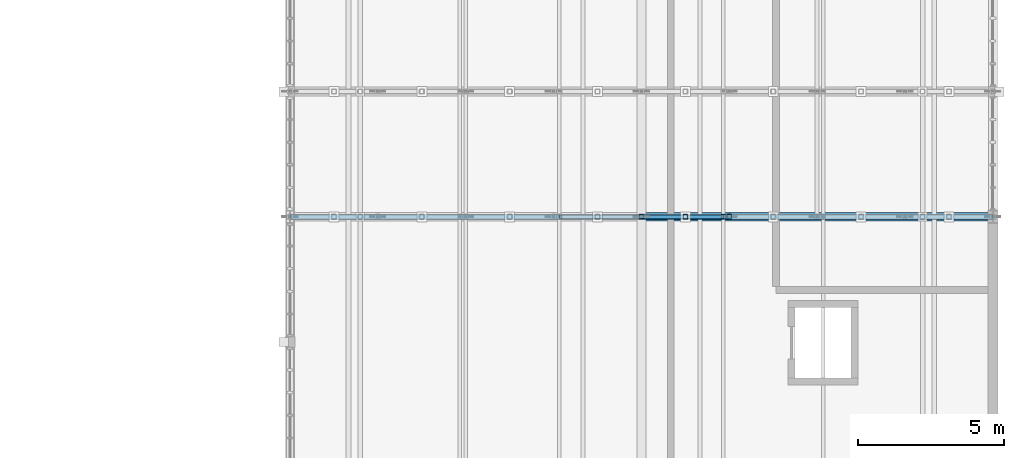
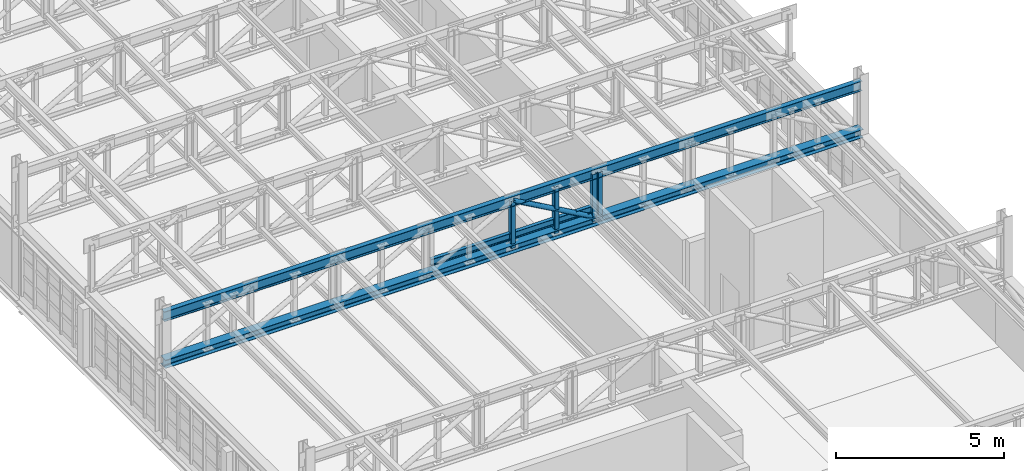
# One storey, part 35 of 128: 8 members.
"""IFC4 building model written with IfcOpenShell, lengths in metres."""

from ifc_helpers import new_model, si_unit, direction, frame, origin, origin_2d, place, context, subcontext, project, spatial, hollow_rectangle, hollow_circle, i_section, extrude, material, material_profile, profile_set, type_object, element, save


model = new_model("IFC4")

# Units and contexts
model_context = context("Model", 3, precision=1e-05, world=origin(), true_north=direction((0.0, 1.0)))
body_context = subcontext(model_context, "Body", "Model", "MODEL_VIEW")
ifc_project = project(units=[si_unit("LENGTHUNIT", "METRE"), si_unit("AREAUNIT", "SQUARE_METRE"), si_unit("VOLUMEUNIT", "CUBIC_METRE"), si_unit("PLANEANGLEUNIT", "RADIAN"), si_unit("MASSUNIT", "GRAM", prefix="KILO")], contexts=[model_context])

# Site, building, storey
site_placement = place(None, origin())
site = spatial("IfcSite", under=ifc_project, at=site_placement, CompositionType="ELEMENT")
building_placement = place(site_placement, origin())
building = spatial("IfcBuilding", under=site, at=building_placement, Name="Serraforn Aerial Cableway Station", CompositionType="ELEMENT")
storey_placement = place(building_placement, frame((0.0, 0.0, 9.0)))
storey = spatial("IfcBuildingStorey", under=building, at=storey_placement, Name="L02", CompositionType="ELEMENT", Elevation=9.0)

# Members
ifc_material = material(Name="Steel S355J2", Category="steel")
ifc_material_profile_1 = material_profile(ifc_material, i_section(OverallWidth=0.300048828125, OverallDepth=0.300048828125, WebThickness=0.008544921875, FlangeThickness=0.013916015625, FilletRadius=0.027099609375, at=origin_2d()), Name="HEA 300")
ifc_profile_set_1 = profile_set([ifc_material_profile_1], Name="Steel S355J2")
member_type_1 = type_object("IfcMemberType", Name="MEM-BC-HEA300", PredefinedType="CHORD", material=ifc_profile_set_1)
member_1_placement = place(storey_placement, frame((144.0, 62.699951171875, 2.60009765625), z_axis=(1.0, 0.0, 0.0), x_axis=(0.0, 1.0, 0.0)))
element("IfcMember", 1, at=member_1_placement, inside=storey, type_object=member_type_1, Name="Garage Truss GT-03 Bottom Chord", PredefinedType="CHORD", context=body_context, shape_type="SweptSolid", body=[
    extrude(i_section(OverallWidth=0.300048828125, OverallDepth=0.300048828125, WebThickness=0.008544921875, FlangeThickness=0.013916015625, FilletRadius=0.027099609375, at=origin_2d()), origin(), (0.0, 0.0, 1.0), 24.0),
])
ifc_material_profile_2 = material_profile(ifc_material, hollow_circle(Radius=0.084228515625, WallThickness=0.008056640625, at=origin_2d()), Name="CHS 168.3x8.0")
ifc_profile_set_2 = profile_set([ifc_material_profile_2], Name="Steel S355J2")
member_type_2 = type_object("IfcMemberType", Name="MEM-DG-CHS168", PredefinedType="BRACE", material=ifc_profile_set_2)
member_2_placement = place(storey_placement, frame((156.0, 62.699951171875, 4.2900390625), z_axis=(0.871272396707, 0.0, -0.490799766439), x_axis=(0.0, 1.0, 0.0)))
element("IfcMember", 2, at=member_2_placement, inside=storey, type_object=member_type_2, Name="Garage Truss GT-03 Diagonal 5", PredefinedType="BRACE", context=body_context, shape_type="SweptSolid", body=[
    extrude(hollow_circle(Radius=0.084228515625, WallThickness=0.008056640625, at=origin_2d()), origin(), (0.0, 0.0, 1.0), 3.443359375),
])
ifc_material_profile_3 = material_profile(ifc_material, i_section(OverallWidth=0.1201171875, OverallDepth=0.239990234375, WebThickness=0.006103515625, FlangeThickness=0.009765625, FilletRadius=0.014892578125, at=origin_2d()), Name="IPE 240")
ifc_profile_set_3 = profile_set([ifc_material_profile_3], Name="Steel S355J2")
member_type_3 = type_object("IfcMemberType", Name="MEM-RL-IPE240", PredefinedType="USERDEFINED", material=ifc_profile_set_3)
member_3_placement = place(storey_placement, frame((153.199951171875, 62.699951171875, 3.02001953125), z_axis=(1.0, 0.0, 0.0), x_axis=(0.0, 1.0, 0.0)))
element("IfcMember", 3, at=member_3_placement, inside=storey, type_object=member_type_3, Name="Overhead Cabin Turnaround Loop Rail 3", ObjectType="OVERHEAD TRACK RAIL", PredefinedType="USERDEFINED", context=body_context, shape_type="SweptSolid", body=[
    extrude(i_section(OverallWidth=0.1201171875, OverallDepth=0.239990234375, WebThickness=0.006103515625, FlangeThickness=0.009765625, FilletRadius=0.014892578125, at=origin_2d()), origin(), (0.0, 0.0, 1.0), 5.60009765625),
])
ifc_material_profile_4 = material_profile(ifc_material, i_section(OverallWidth=0.169921875, OverallDepth=0.360107421875, WebThickness=0.008056640625, FlangeThickness=0.0126953125, FilletRadius=0.01806640625, at=origin_2d()), Name="IPE 360")
ifc_profile_set_4 = profile_set([ifc_material_profile_4], Name="Steel S355J2")
member_type_4 = type_object("IfcMemberType", Name="MEM-TC-IPE360", PredefinedType="CHORD", material=ifc_profile_set_4)
member_4_placement = place(storey_placement, frame((144.0, 62.699951171875, 4.2900390625), z_axis=(1.0, 0.0, 0.0), x_axis=(0.0, 1.0, 0.0)))
element("IfcMember", 4, at=member_4_placement, inside=storey, type_object=member_type_4, Name="Garage Truss GT-03 Top Chord", PredefinedType="CHORD", context=body_context, shape_type="SweptSolid", body=[
    extrude(i_section(OverallWidth=0.169921875, OverallDepth=0.360107421875, WebThickness=0.008056640625, FlangeThickness=0.0126953125, FilletRadius=0.01806640625, at=origin_2d()), origin(), (0.0, 0.0, 1.0), 24.0),
])
ifc_material_profile_5 = material_profile(ifc_material, hollow_rectangle(XDim=0.159912109375, YDim=0.159912109375, WallThickness=0.008056640625, InnerFilletRadius=0.008056640625, OuterFilletRadius=0.01611328125, at=origin_2d()), Name="SHS 160x160x8.0")
ifc_profile_set_5 = profile_set([ifc_material_profile_5], Name="Steel S355J2")
member_type_5 = type_object("IfcMemberType", Name="MEM-VP-SHS160", PredefinedType="STRUT", material=ifc_profile_set_5)
for number, where, z_axis, x_axis, name in (
    (5, (156.0, 62.699951171875, 2.590087890625), (0.0, 0.0, 1.0), (1.0, 0.0, 0.0), "Garage Truss GT-03 Post 5"),
    (6, (159.0, 62.699951171875, 2.590087890625), (0.0, 0.0, 1.0), (1.0, 0.0, 0.0), "Garage Truss GT-03 Post 6"),
    (7, (158.800048828125, 62.699951171875, 2.590087890625), (0.0, 0.0, 1.0), (1.0, 0.0, 0.0), "Overhead Rail Suspension Post 010"),
    (8, (157.5, 62.699951171875, 2.590087890625), (0.0, 0.0, 1.0), (1.0, 0.0, 0.0), "Garage Truss GT-03 Sub-Vertical 5"),
):
    element("IfcMember", number, at=place(storey_placement, frame(where, z_axis=z_axis, x_axis=x_axis)), inside=storey, type_object=member_type_5, Name=name, PredefinedType="STRUT", context=body_context, shape_type="SweptSolid", body=[
        extrude(hollow_rectangle(XDim=0.159912109375, YDim=0.159912109375, WallThickness=0.008056640625, InnerFilletRadius=0.008056640625, OuterFilletRadius=0.01611328125, at=origin_2d()), origin(), (0.0, 0.0, 1.0), 1.7099609375),
    ])

save(model, "model.ifc")
